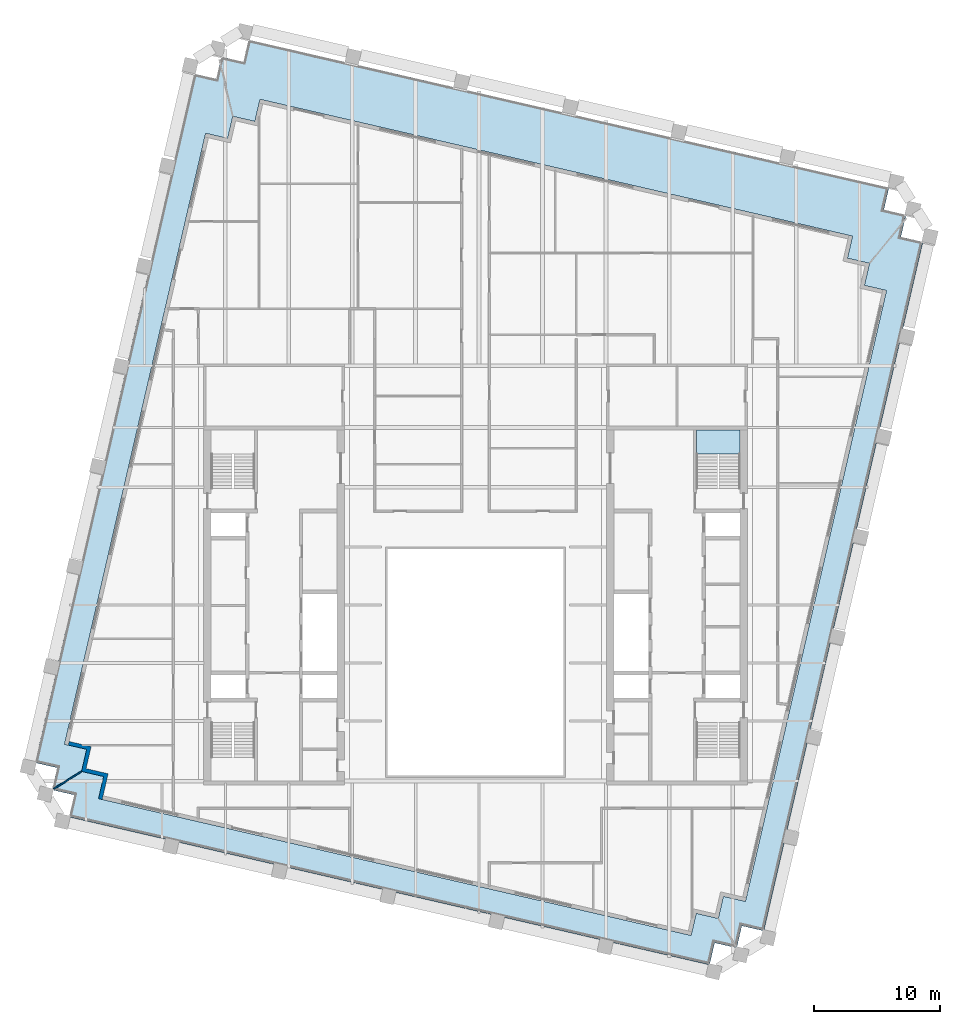
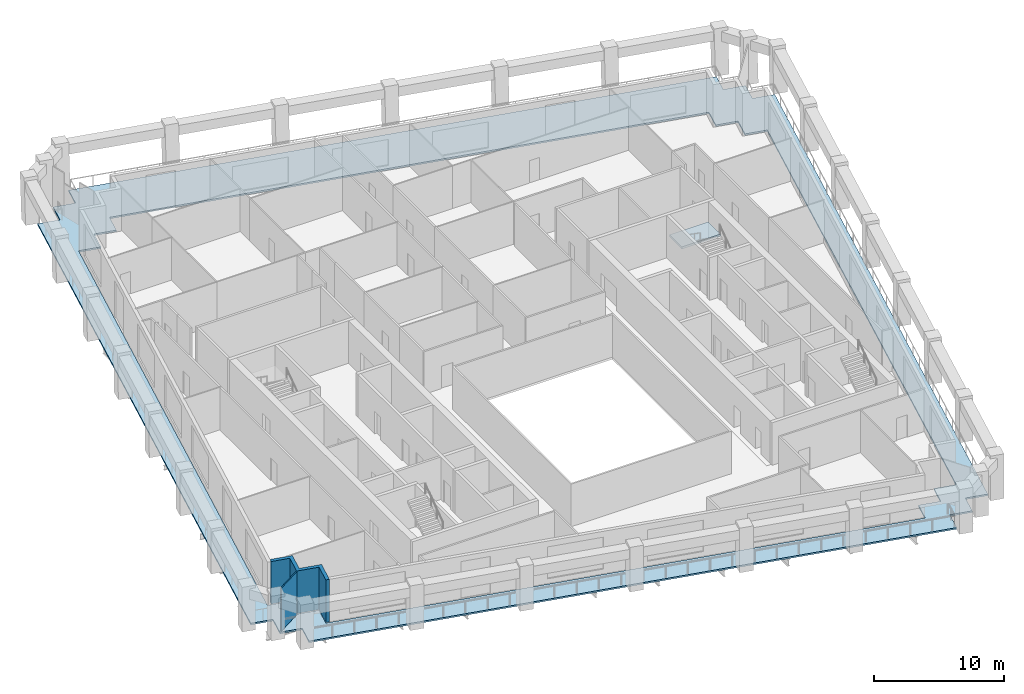
# One storey, part 3 of 10: 2 slabs, 2 walls, 1 element without a shape of its own.
"""IFC4 building model written with IfcOpenShell, lengths in metres."""

from ifc_helpers import new_model, si_unit, direction, frame, frame_2d, origin, place, context, subcontext, project, spatial, polyline, rectangle, outline, extrude, material, layer, layer_set, type_object, element, aggregate, save


model = new_model("IFC4")

# Units and contexts
model_context = context("Model", 3, precision=1e-05, world=origin(), true_north=direction((0.0, 1.0)))
body_context = subcontext(model_context, "Body", "Model", "MODEL_VIEW")
ifc_project = project(units=[si_unit("LENGTHUNIT", "METRE"), si_unit("AREAUNIT", "SQUARE_METRE"), si_unit("VOLUMEUNIT", "CUBIC_METRE"), si_unit("PLANEANGLEUNIT", "RADIAN"), si_unit("MASSUNIT", "GRAM", prefix="KILO")], contexts=[model_context])

# Site, building, storey
site_placement = place(None, origin())
site = spatial("IfcSite", under=ifc_project, at=site_placement, CompositionType="ELEMENT")
building_placement = place(site_placement, origin())
building = spatial("IfcBuilding", under=site, at=building_placement, Name="Ogive Exchange Tower", CompositionType="ELEMENT")
storey_placement = place(building_placement, frame((0.0, 0.0, 264.0)))
storey = spatial("IfcBuildingStorey", under=building, at=storey_placement, Name="L57", CompositionType="ELEMENT", Elevation=264.0)

# Slab
ifc_material_1 = material(Name="Concrete C50/60", Category="concrete")
ifc_layer_1 = layer(ifc_material_1, 0.14990234375)
ifc_layer_set_1 = layer_set([ifc_layer_1], Name="Loggia deck 150")
slab_type_1 = type_object("IfcSlabType", Name="Loggia deck 150", PredefinedType="FLOOR", material=ifc_layer_set_1)
slab_1_placement = place(storey_placement, frame((0.0, 0.0, -0.199951171875)))
element("IfcSlab", 1, at=slab_1_placement, inside=storey, type_object=slab_type_1, Name="Loggia deck", PredefinedType="FLOOR", context=body_context, shape_type="SweptSolid", body=[
    extrude(outline(polyline([(-31.8759765625, -3.54443359375), (-33.6298828125, -3.1396484375), (-33.224853515625, -1.3857421875), (-34.978759765625, -0.980712890625), (-22.3466796875, 53.734619140625), (-20.5927734375, 53.32958984375), (-20.18798828125, 55.08349609375), (-18.43408203125, 54.6787109375), (-18.029052734375, 56.432373046875), (32.8330078125, 44.68994140625), (32.427978515625, 42.93603515625), (34.181884765625, 42.53125), (33.777099609375, 40.77734375), (35.531005859375, 40.372314453125), (22.89892578125, -14.343017578125), (21.14501953125, -13.93798828125), (20.739990234375, -15.69189453125), (18.986083984375, -15.286865234375), (18.581298828125, -17.040771484375), (-32.28076171875, -5.29833984375), (-31.8759765625, -3.54443359375)]), holes=[polyline([(17.52490234375, -12.9482421875), (19.27880859375, -13.353271484375), (19.68359375, -11.599365234375), (21.4375, -12.004150390625), (32.64013671875, 36.519287109375), (30.88623046875, 36.92431640625), (31.291015625, 38.67822265625), (29.537109375, 39.0830078125), (29.942138671875, 40.8369140625), (-17.119873046875, 51.7021484375), (-17.52490234375, 49.9482421875), (-19.27880859375, 50.353271484375), (-19.68359375, 48.599365234375), (-21.4375, 49.004150390625), (-32.64013671875, 0.480712890625), (-30.88623046875, 0.07568359375), (-31.291015625, -1.67822265625), (-29.537109375, -2.0830078125), (-29.942138671875, -3.8369140625), (17.119873046875, -14.7021484375), (17.52490234375, -12.9482421875)])]), origin(), (0.0, 0.0, 1.0), 0.14990234375),
])

# Stair, slab
ifc_material_2 = material(Name="Concrete C40/50", Category="concrete")
stair_type = type_object("IfcStairType", Name="Exit stair 1650 wide", PredefinedType="HALF_TURN_STAIR", material=ifc_material_2)
stair_placement = place(storey_placement, origin())
stair = element("IfcStair", 2, at=stair_placement, inside=storey, type_object=stair_type, Name="L57 exit stair ST4", PredefinedType="HALF_TURN_STAIR")
ifc_layer_2 = layer(ifc_material_2, 0.199951171875)
ifc_layer_set_2 = layer_set([ifc_layer_2], Name="Stair landing 200 slab")
slab_type_2 = type_object("IfcSlabType", Name="Stair landing 200 slab", PredefinedType="LANDING", material=ifc_layer_set_2)
slab_2_placement = place(storey_placement, frame((0.0, 0.0, 1.89990234375)))
slab_2 = element("IfcSlab", 3, at=slab_2_placement, type_object=slab_type_2, Name="ST4 landing 1", PredefinedType="LANDING", context=body_context, shape_type="SweptSolid", body=[
    extrude(outline(polyline([(21.0, 23.550048828125), (21.0, 25.449951171875), (17.550048828125, 25.449951171875), (17.550048828125, 23.550048828125), (21.0, 23.550048828125)])), origin(), (0.0, 0.0, 1.0), 0.2001953125),
])
aggregate(stair, [slab_2])

# Walls
ifc_material_3 = material(Name="Precast concrete C40/50", Category="concrete")
ifc_layer_3 = layer(ifc_material_3, 0.300048828125)
ifc_layer_set_3 = layer_set([ifc_layer_3], Name="Limestone-faced wall 300")
wall_type_1 = type_object("IfcWallType", Name="Limestone-faced wall 300", PredefinedType="STANDARD", material=ifc_layer_set_3)
wall_1_placement = place(storey_placement, origin())
element("IfcWall", 4, at=wall_1_placement, inside=storey, type_object=wall_type_1, Name="External corner wall C4", PredefinedType="STANDARD", context=body_context, shape_type="SweptSolid", body=[
    extrude(outline(polyline([(-31.291015625, -1.67822265625), (-30.88623046875, 0.07568359375), (-32.34765625, 0.4130859375), (-32.2802734375, 0.705322265625), (-30.5263671875, 0.300537109375), (-30.931396484375, -1.453369140625), (-29.177490234375, -1.8583984375), (-29.64990234375, -3.904541015625), (-29.942138671875, -3.8369140625), (-29.537109375, -2.0830078125), (-31.291015625, -1.67822265625)])), origin(), (0.0, 0.0, 1.0), 4.0),
])
ifc_material_4 = material(Name="Laminated safety glass in steel frame", Category="steel")
ifc_layer_4 = layer(ifc_material_4, 0.10009765625)
ifc_layer_set_4 = layer_set([ifc_layer_4], Name="Loggia end screen 100")
wall_type_2 = type_object("IfcWallType", Name="Loggia end screen 100", PredefinedType="STANDARD", material=ifc_layer_set_4)
wall_2_placement = place(storey_placement, frame((-31.291015625, -1.67822265625, -0.050048828125), z_axis=(0.0, 0.0, 1.0), x_axis=(-0.84807753525, -0.529872148923, 0.0)))
element("IfcWall", 5, at=wall_2_placement, inside=storey, type_object=wall_type_2, Name="Loggia end screen C4", PredefinedType="STANDARD", context=body_context, shape_type="SweptSolid", body=[
    extrude(rectangle(XDim=2.596435546875, YDim=0.10009765625, at=frame_2d((1.29833984375, 0.0))), origin(), (0.0, 0.0, 1.0), 4.050048828125),
])

save(model, "model.ifc")
